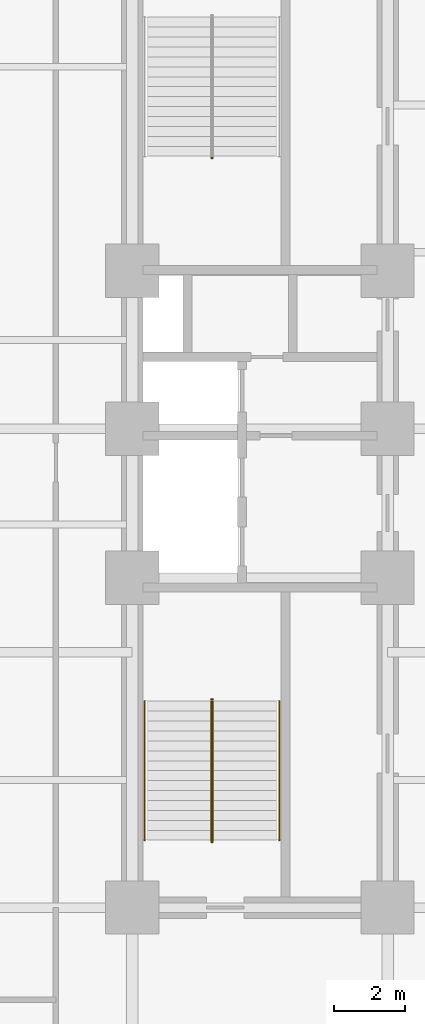
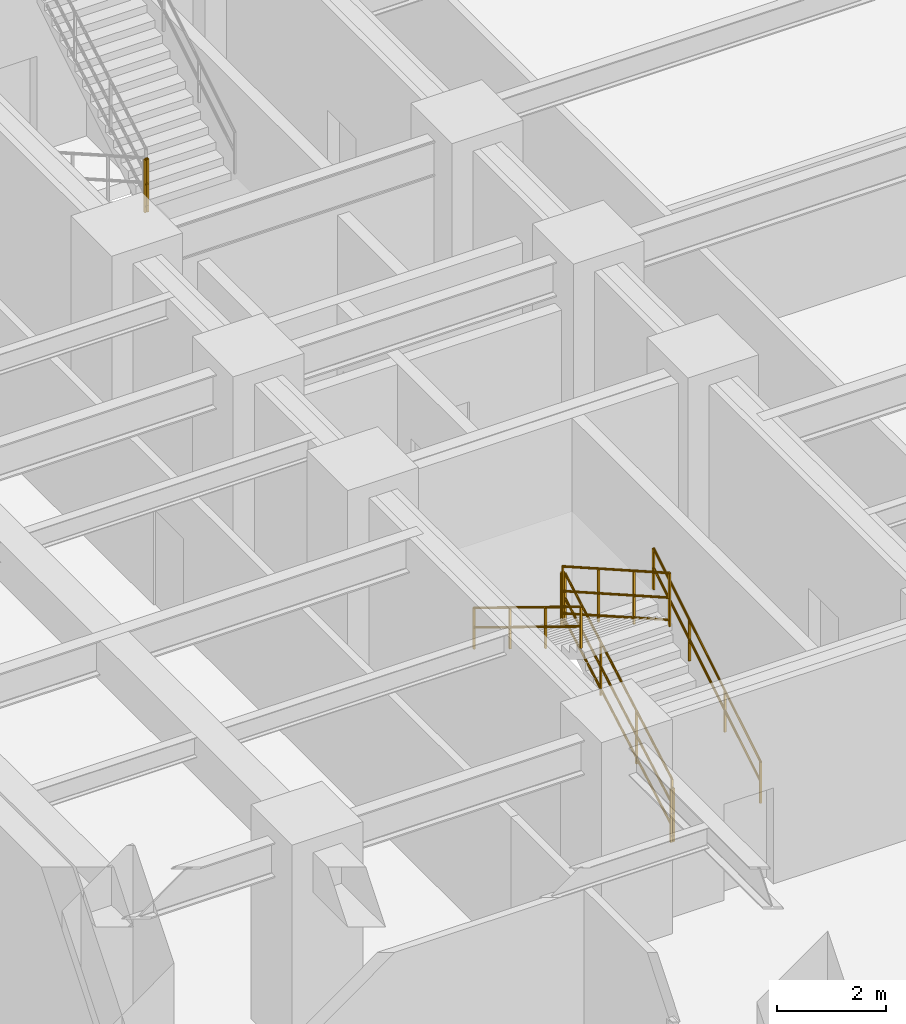
# One storey, part 7 of 9: 7 railings.
"""IFC4 building model written with IfcOpenShell, lengths in metres."""

from ifc_helpers import new_model, entity, si_unit, converted_unit, direction, frame, origin_with_axes, origin_2d_with_axis, place, context, subcontext, project, spatial, rectangle, circle, extrude, material, type_object, element, save


model = new_model("IFC4")

# Units and contexts
model_context = context("Model", 3, precision=1e-05, world=origin_with_axes(), true_north=direction((0.0, 1.0)))
body_context = subcontext(model_context, "Body", "Model", "MODEL_VIEW")
ifc_project = project(units=[si_unit("LENGTHUNIT", "METRE"), si_unit("AREAUNIT", "SQUARE_METRE"), si_unit("VOLUMEUNIT", "CUBIC_METRE"), converted_unit("PLANEANGLEUNIT", "DEGREE", entity("IfcPlaneAngleMeasure", 0.017453292519943295), si_unit("PLANEANGLEUNIT", "RADIAN"), dimensions=[0, 0, 0, 0, 0, 0, 0]), si_unit("MASSUNIT", "GRAM", prefix="KILO"), si_unit("THERMODYNAMICTEMPERATUREUNIT", "KELVIN")], contexts=[model_context])

# Site, building, storey
site_placement = place(None, origin_with_axes())
site = spatial("IfcSite", under=ifc_project, at=site_placement, CompositionType="ELEMENT")
building_placement = place(site_placement, origin_with_axes())
building = spatial("IfcBuilding", under=site, at=building_placement, Name="Varnlund Millrace Tower", CompositionType="ELEMENT")
storey_placement = place(building_placement, frame((0.0, 0.0, -4.8), z_axis=(0.0, 0.0, 1.0), x_axis=(1.0, 0.0, 0.0)))
storey = spatial("IfcBuildingStorey", under=building, at=storey_placement, Name="B1", CompositionType="ELEMENT", Elevation=-4.8)

# Railings
ifc_material_1 = material(Name="Painted steel stair well balustrade guard", Category="steel")
railing_type_1 = type_object("IfcRailingType", Name="Type-StairGuard-1150", PredefinedType="GUARDRAIL", material=ifc_material_1)
railing_1_placement = place(storey_placement, frame((0.0, 0.0, 4.8), z_axis=(0.0, 0.0, 1.0), x_axis=(1.0, 0.0, 0.0)))
element("IfcRailing", 1, at=railing_1_placement, inside=storey, type_object=railing_type_1, Name="Type-StairGuard-1150", PredefinedType="GUARDRAIL", context=body_context, shape_type="SweptSolid", body=[
    extrude(circle(Radius=0.024, at=origin_2d_with_axis()), frame((13.675, 12.7, -3.478571), z_axis=(0.0, 0.869333, 0.494227), x_axis=(-1.0, 0.0, 0.0)), (0.0, 0.0, 1.0), 4.509205),
    extrude(circle(Radius=0.024, at=origin_2d_with_axis()), frame((13.675, 12.7, -4.528571), z_axis=(0.0, 0.869333, 0.494227), x_axis=(-1.0, 0.0, 0.0)), (0.0, 0.0, 1.0), 4.509205),
    extrude(circle(Radius=0.024, at=origin_2d_with_axis()), frame((13.675, 12.7, -4.030571), z_axis=(0.0, 0.869333, 0.494227), x_axis=(-1.0, 0.0, 0.0)), (0.0, 0.0, 1.0), 4.509205),
    extrude(rectangle(XDim=0.04, YDim=0.04, at=origin_2d_with_axis()), frame((13.675, 12.7, -4.668571), z_axis=(0.0, 0.0, 1.0), x_axis=(1.0, 0.0, 0.0)), (0.0, 0.0, 1.0), 1.19),
    extrude(rectangle(XDim=0.04, YDim=0.04, at=origin_2d_with_axis()), frame((13.675, 14.006667, -3.925714), z_axis=(0.0, 0.0, 1.0), x_axis=(1.0, 0.0, 0.0)), (0.0, 0.0, 1.0), 1.19),
    extrude(rectangle(XDim=0.04, YDim=0.04, at=origin_2d_with_axis()), frame((13.675, 15.313333, -3.182857), z_axis=(0.0, 0.0, 1.0), x_axis=(1.0, 0.0, 0.0)), (0.0, 0.0, 1.0), 1.19),
    extrude(rectangle(XDim=0.04, YDim=0.04, at=origin_2d_with_axis()), frame((13.675, 16.62, -2.44), z_axis=(0.0, 0.0, 1.0), x_axis=(1.0, 0.0, 0.0)), (0.0, 0.0, 1.0), 1.19),
])
railing_2_placement = place(storey_placement, frame((0.0, 0.0, 4.8), z_axis=(0.0, 0.0, 1.0), x_axis=(1.0, 0.0, 0.0)))
element("IfcRailing", 2, at=railing_2_placement, inside=storey, type_object=railing_type_1, Name="Type-StairGuard-1150", PredefinedType="GUARDRAIL", context=body_context, shape_type="SweptSolid", body=[
    extrude(circle(Radius=0.024, at=origin_2d_with_axis()), frame((13.625, 16.67, -1.25), z_axis=(1.0, 0.0, 0.0), x_axis=(0.0, 1.0, 0.0)), (0.0, 0.0, 1.0), 0.05),
    extrude(circle(Radius=0.024, at=origin_2d_with_axis()), frame((13.625, 16.67, -2.3), z_axis=(1.0, 0.0, 0.0), x_axis=(0.0, 1.0, 0.0)), (0.0, 0.0, 1.0), 0.05),
    extrude(circle(Radius=0.024, at=origin_2d_with_axis()), frame((13.625, 16.67, -1.802), z_axis=(1.0, 0.0, 0.0), x_axis=(0.0, 1.0, 0.0)), (0.0, 0.0, 1.0), 0.05),
    extrude(rectangle(XDim=0.04, YDim=0.04, at=origin_2d_with_axis()), frame((13.625, 16.67, -2.44), z_axis=(0.0, 0.0, 1.0), x_axis=(1.0, 0.0, 0.0)), (0.0, 0.0, 1.0), 1.19),
    extrude(rectangle(XDim=0.04, YDim=0.04, at=origin_2d_with_axis()), frame((13.675, 16.67, -2.44), z_axis=(0.0, 0.0, 1.0), x_axis=(1.0, 0.0, 0.0)), (0.0, 0.0, 1.0), 1.19),
])
railing_3_placement = place(storey_placement, frame((0.0, 0.0, 4.8), z_axis=(0.0, 0.0, 1.0), x_axis=(1.0, 0.0, 0.0)))
element("IfcRailing", 3, at=railing_3_placement, inside=storey, type_object=railing_type_1, Name="Type-StairGuard-1150", PredefinedType="GUARDRAIL", context=body_context, shape_type="SweptSolid", body=[
    extrude(circle(Radius=0.024, at=origin_2d_with_axis()), frame((13.625, 16.62, -1.078571), z_axis=(0.0, -0.869333, 0.494227), x_axis=(1.0, 0.0, 0.0)), (0.0, 0.0, 1.0), 4.509205),
    extrude(circle(Radius=0.024, at=origin_2d_with_axis()), frame((13.625, 16.62, -2.128571), z_axis=(0.0, -0.869333, 0.494227), x_axis=(1.0, 0.0, 0.0)), (0.0, 0.0, 1.0), 4.509205),
    extrude(circle(Radius=0.024, at=origin_2d_with_axis()), frame((13.625, 16.62, -1.630571), z_axis=(0.0, -0.869333, 0.494227), x_axis=(1.0, 0.0, 0.0)), (0.0, 0.0, 1.0), 4.509205),
    extrude(rectangle(XDim=0.04, YDim=0.04, at=origin_2d_with_axis()), frame((13.625, 16.62, -2.268571), z_axis=(0.0, 0.0, 1.0), x_axis=(1.0, 0.0, 0.0)), (0.0, 0.0, 1.0), 1.19),
    extrude(rectangle(XDim=0.04, YDim=0.04, at=origin_2d_with_axis()), frame((13.625, 15.313333, -1.525714), z_axis=(0.0, 0.0, 1.0), x_axis=(1.0, 0.0, 0.0)), (0.0, 0.0, 1.0), 1.19),
    extrude(rectangle(XDim=0.04, YDim=0.04, at=origin_2d_with_axis()), frame((13.625, 14.006667, -0.782857), z_axis=(0.0, 0.0, 1.0), x_axis=(1.0, 0.0, 0.0)), (0.0, 0.0, 1.0), 1.19),
    extrude(rectangle(XDim=0.04, YDim=0.04, at=origin_2d_with_axis()), frame((13.625, 12.7, -0.04), z_axis=(0.0, 0.0, 1.0), x_axis=(1.0, 0.0, 0.0)), (0.0, 0.0, 1.0), 1.19),
])
railing_4_placement = place(storey_placement, frame((0.0, 0.0, 4.8), z_axis=(0.0, 0.0, 1.0), x_axis=(1.0, 0.0, 0.0)))
element("IfcRailing", 4, at=railing_4_placement, inside=storey, type_object=railing_type_1, Name="Type-StairGuard-1150", PredefinedType="GUARDRAIL", context=body_context, shape_type="SweptSolid", body=[
    extrude(circle(Radius=0.024, at=origin_2d_with_axis()), frame((13.625, 12.65, -3.65), z_axis=(1.0, 0.0, 0.0), x_axis=(0.0, 1.0, 0.0)), (0.0, 0.0, 1.0), 0.05),
    extrude(circle(Radius=0.024, at=origin_2d_with_axis()), frame((13.625, 12.65, -4.7), z_axis=(1.0, 0.0, 0.0), x_axis=(0.0, 1.0, 0.0)), (0.0, 0.0, 1.0), 0.05),
    extrude(circle(Radius=0.024, at=origin_2d_with_axis()), frame((13.625, 12.65, -4.202), z_axis=(1.0, 0.0, 0.0), x_axis=(0.0, 1.0, 0.0)), (0.0, 0.0, 1.0), 0.05),
    extrude(rectangle(XDim=0.04, YDim=0.04, at=origin_2d_with_axis()), frame((13.625, 12.65, -4.84), z_axis=(0.0, 0.0, 1.0), x_axis=(1.0, 0.0, 0.0)), (0.0, 0.0, 1.0), 1.19),
    extrude(rectangle(XDim=0.04, YDim=0.04, at=origin_2d_with_axis()), frame((13.675, 12.65, -4.84), z_axis=(0.0, 0.0, 1.0), x_axis=(1.0, 0.0, 0.0)), (0.0, 0.0, 1.0), 1.19),
])
railing_5_placement = place(storey_placement, frame((0.0, 0.0, 4.8), z_axis=(0.0, 0.0, 1.0), x_axis=(1.0, 0.0, 0.0)))
element("IfcRailing", 5, at=railing_5_placement, inside=storey, type_object=railing_type_1, Name="Type-StairGuard-1150", PredefinedType="GUARDRAIL", context=body_context, shape_type="SweptSolid", body=[
    extrude(circle(Radius=0.024, at=origin_2d_with_axis()), frame((13.675, 31.93, -1.25), z_axis=(-1.0, 0.0, 0.0), x_axis=(0.0, -1.0, 0.0)), (0.0, 0.0, 1.0), 0.05),
    extrude(circle(Radius=0.024, at=origin_2d_with_axis()), frame((13.675, 31.93, -2.3), z_axis=(-1.0, 0.0, 0.0), x_axis=(0.0, -1.0, 0.0)), (0.0, 0.0, 1.0), 0.05),
    extrude(circle(Radius=0.024, at=origin_2d_with_axis()), frame((13.675, 31.93, -1.802), z_axis=(-1.0, 0.0, 0.0), x_axis=(0.0, -1.0, 0.0)), (0.0, 0.0, 1.0), 0.05),
    extrude(rectangle(XDim=0.04, YDim=0.04, at=origin_2d_with_axis()), frame((13.675, 31.93, -2.44), z_axis=(0.0, 0.0, 1.0), x_axis=(1.0, 0.0, 0.0)), (0.0, 0.0, 1.0), 1.19),
    extrude(rectangle(XDim=0.04, YDim=0.04, at=origin_2d_with_axis()), frame((13.625, 31.93, -2.44), z_axis=(0.0, 0.0, 1.0), x_axis=(1.0, 0.0, 0.0)), (0.0, 0.0, 1.0), 1.19),
])
ifc_material_2 = material(Name="Brushed architectural bronze stair handrail", Category="aluminium")
railing_type_2 = type_object("IfcRailingType", Name="Type-StairHandrail-900", PredefinedType="HANDRAIL", material=ifc_material_2)
railing_6_placement = place(storey_placement, frame((0.0, 0.0, 4.8), z_axis=(0.0, 0.0, 1.0), x_axis=(1.0, 0.0, 0.0)))
element("IfcRailing", 6, at=railing_6_placement, inside=storey, type_object=railing_type_2, Name="Type-StairHandrail-900", PredefinedType="HANDRAIL", context=body_context, shape_type="SweptSolid", body=[
    extrude(circle(Radius=0.024, at=origin_2d_with_axis()), frame((15.55, 12.7, -3.749039), z_axis=(0.0, 0.852851, 0.522154), x_axis=(-1.0, 0.0, 0.0)), (0.0, 0.0, 1.0), 4.596346),
    extrude(circle(Radius=0.024, at=origin_2d_with_axis()), frame((15.55, 12.7, -4.188805), z_axis=(0.0, 0.852851, 0.522154), x_axis=(-1.0, 0.0, 0.0)), (0.0, 0.0, 1.0), 4.596346),
    extrude(rectangle(XDim=0.04, YDim=0.04, at=origin_2d_with_axis()), frame((15.55, 12.7, -4.668571), z_axis=(0.0, 0.0, 1.0), x_axis=(1.0, 0.0, 0.0)), (0.0, 0.0, 1.0), 0.919532),
    extrude(rectangle(XDim=0.04, YDim=0.04, at=origin_2d_with_axis()), frame((15.55, 14.006667, -3.868571), z_axis=(0.0, 0.0, 1.0), x_axis=(1.0, 0.0, 0.0)), (0.0, 0.0, 1.0), 0.919532),
    extrude(rectangle(XDim=0.04, YDim=0.04, at=origin_2d_with_axis()), frame((15.55, 15.313333, -3.068571), z_axis=(0.0, 0.0, 1.0), x_axis=(1.0, 0.0, 0.0)), (0.0, 0.0, 1.0), 0.919532),
    extrude(rectangle(XDim=0.04, YDim=0.04, at=origin_2d_with_axis()), frame((15.55, 16.62, -2.268571), z_axis=(0.0, 0.0, 1.0), x_axis=(1.0, 0.0, 0.0)), (0.0, 0.0, 1.0), 0.919532),
])
railing_7_placement = place(storey_placement, frame((0.0, 0.0, 4.8), z_axis=(0.0, 0.0, 1.0), x_axis=(1.0, 0.0, 0.0)))
element("IfcRailing", 7, at=railing_7_placement, inside=storey, type_object=railing_type_2, Name="Type-StairHandrail-900", PredefinedType="HANDRAIL", context=body_context, shape_type="SweptSolid", body=[
    extrude(circle(Radius=0.024, at=origin_2d_with_axis()), frame((11.75, 16.62, -1.349039), z_axis=(0.0, -0.852851, 0.522154), x_axis=(1.0, 0.0, 0.0)), (0.0, 0.0, 1.0), 4.596346),
    extrude(circle(Radius=0.024, at=origin_2d_with_axis()), frame((11.75, 16.62, -1.788805), z_axis=(0.0, -0.852851, 0.522154), x_axis=(1.0, 0.0, 0.0)), (0.0, 0.0, 1.0), 4.596346),
    extrude(rectangle(XDim=0.04, YDim=0.04, at=origin_2d_with_axis()), frame((11.75, 16.62, -2.268571), z_axis=(0.0, 0.0, 1.0), x_axis=(1.0, 0.0, 0.0)), (0.0, 0.0, 1.0), 0.919532),
    extrude(rectangle(XDim=0.04, YDim=0.04, at=origin_2d_with_axis()), frame((11.75, 15.313333, -1.468571), z_axis=(0.0, 0.0, 1.0), x_axis=(1.0, 0.0, 0.0)), (0.0, 0.0, 1.0), 0.919532),
    extrude(rectangle(XDim=0.04, YDim=0.04, at=origin_2d_with_axis()), frame((11.75, 14.006667, -0.668571), z_axis=(0.0, 0.0, 1.0), x_axis=(1.0, 0.0, 0.0)), (0.0, 0.0, 1.0), 0.919532),
    extrude(rectangle(XDim=0.04, YDim=0.04, at=origin_2d_with_axis()), frame((11.75, 12.7, 0.131429), z_axis=(0.0, 0.0, 1.0), x_axis=(1.0, 0.0, 0.0)), (0.0, 0.0, 1.0), 0.919532),
])

save(model, "model.ifc")
